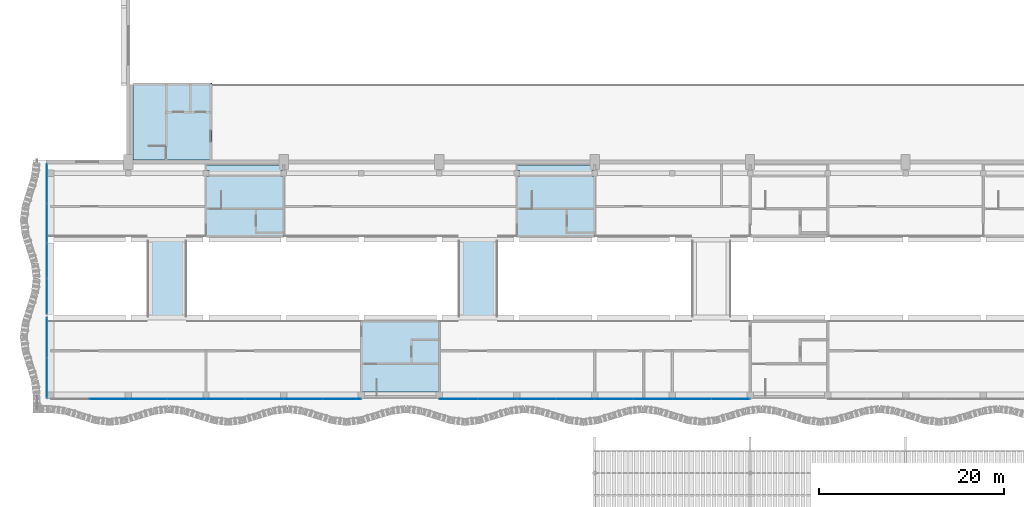
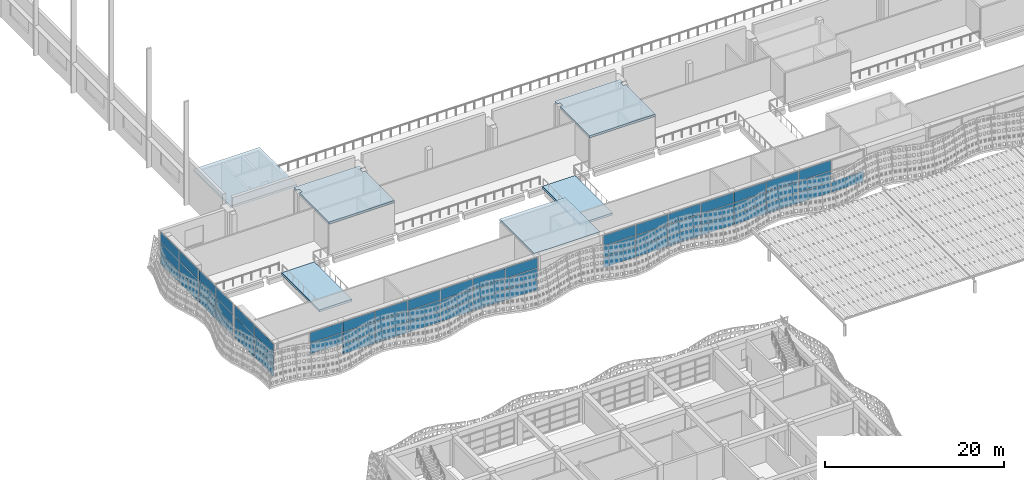
# One storey, part 65 of 162: 60 plates, 6 slabs, 5 elements without a shape of their own.
"""IFC4 building model written with IfcOpenShell, lengths in metres."""

from ifc_helpers import new_model, si_unit, direction, frame, origin, origin_2d, place, context, subcontext, project, spatial, polyline, rectangle, outline, extrude, material, layer, layer_set, type_object, element, aggregate, save


model = new_model("IFC4")

# Units and contexts
model_context = context("Model", 3, precision=1e-05, world=origin(), true_north=direction((0.0, 1.0)))
body_context = subcontext(model_context, "Body", "Model", "MODEL_VIEW")
ifc_project = project(units=[si_unit("LENGTHUNIT", "METRE"), si_unit("AREAUNIT", "SQUARE_METRE"), si_unit("VOLUMEUNIT", "CUBIC_METRE"), si_unit("PLANEANGLEUNIT", "RADIAN"), si_unit("MASSUNIT", "GRAM", prefix="KILO")], contexts=[model_context])

# Site, building, storey
site_placement = place(None, origin())
site = spatial("IfcSite", under=ifc_project, at=site_placement, CompositionType="ELEMENT")
building_placement = place(site_placement, origin())
building = spatial("IfcBuilding", under=site, at=building_placement, Name="Rain Tree Exposition and Congress Centre", CompositionType="ELEMENT")
storey_placement = place(building_placement, frame((0.0, 0.0, 6.0)))
storey = spatial("IfcBuildingStorey", under=building, at=storey_placement, Name="L01", CompositionType="ELEMENT", Elevation=6.0)

# Slabs
ifc_material_1 = material(Name="Precast concrete C50/60", Category="concrete")
ifc_layer_1 = layer(ifc_material_1, 0.300048828125)
ifc_layer_set_1 = layer_set([ifc_layer_1], Name="Precast concrete C50/60")
slab_type_1 = type_object("IfcSlabType", Name="Concourse bridge deck slab 300", PredefinedType="FLOOR", material=ifc_layer_set_1)
slab_1_placement = place(storey_placement, frame((0.0, 0.0, -0.300048828125)))
element("IfcSlab", 1, at=slab_1_placement, inside=storey, type_object=slab_type_1, Name="Concourse bridge deck 1", PredefinedType="FLOOR", context=body_context, shape_type="SweptSolid", body=[
    extrude(outline(polyline([(10.5, 84.0), (14.699951171875, 84.0), (14.699951171875, 92.39990234375), (10.5, 92.39990234375), (10.5, 84.0)])), origin(), (0.0, 0.0, 1.0), 0.300048828125),
])
slab_2_placement = place(storey_placement, frame((0.0, 0.0, -0.300048828125)))
element("IfcSlab", 2, at=slab_2_placement, inside=storey, type_object=slab_type_1, Name="Concourse bridge deck 2", PredefinedType="FLOOR", context=body_context, shape_type="SweptSolid", body=[
    extrude(outline(polyline([(44.10009765625, 84.0), (48.300048828125, 84.0), (48.300048828125, 92.39990234375), (44.10009765625, 92.39990234375), (44.10009765625, 84.0)])), origin(), (0.0, 0.0, 1.0), 0.300048828125),
])
ifc_material_2 = material(Name="Concrete C40/50", Category="concrete")
ifc_layer_2 = layer(ifc_material_2, 0.300048828125)
ifc_layer_set_2 = layer_set([ifc_layer_2], Name="Concrete C40/50")
slab_type_2 = type_object("IfcSlabType", Name="Concourse core roof slab 300", PredefinedType="ROOF", material=ifc_layer_set_2)
slab_3_placement = place(storey_placement, frame((0.0, 0.0, 4.199951171875)))
element("IfcSlab", 3, at=slab_3_placement, inside=storey, type_object=slab_type_2, Name="Concourse core 1 roof", PredefinedType="ROOF", context=body_context, shape_type="SweptSolid", body=[
    extrude(outline(polyline([(42.02490234375, 83.699951171875), (42.02490234375, 75.949951171875), (41.64990234375, 75.949951171875), (33.949951171875, 75.949951171875), (33.574951171875, 75.949951171875), (33.574951171875, 83.699951171875), (42.02490234375, 83.699951171875)])), origin(), (0.0, 0.0, 1.0), 0.300048828125),
])
slab_4_placement = place(storey_placement, frame((0.0, 0.0, 4.199951171875)))
element("IfcSlab", 4, at=slab_4_placement, inside=storey, type_object=slab_type_2, Name="Concourse core 7 roof", PredefinedType="ROOF", context=body_context, shape_type="SweptSolid", body=[
    extrude(outline(polyline([(25.22509765625, 92.699951171875), (24.89990234375, 92.699951171875), (17.10009765625, 92.699951171875), (16.77490234375, 92.699951171875), (16.77490234375, 99.300048828125), (17.10009765625, 99.300048828125), (17.10009765625, 99.89990234375), (16.77490234375, 99.89990234375), (16.77490234375, 100.5), (25.22509765625, 100.5), (25.22509765625, 99.89990234375), (24.89990234375, 99.89990234375), (24.89990234375, 99.300048828125), (25.22509765625, 99.300048828125), (25.22509765625, 92.699951171875)])), origin(), (0.0, 0.0, 1.0), 0.300048828125),
])
slab_5_placement = place(storey_placement, frame((0.0, 0.0, 4.199951171875)))
element("IfcSlab", 5, at=slab_5_placement, inside=storey, type_object=slab_type_2, Name="Concourse core 8 roof", PredefinedType="ROOF", context=body_context, shape_type="SweptSolid", body=[
    extrude(outline(polyline([(58.824951171875, 92.699951171875), (58.5, 92.699951171875), (50.699951171875, 92.699951171875), (50.375, 92.699951171875), (50.375, 99.300048828125), (50.699951171875, 99.300048828125), (50.699951171875, 99.89990234375), (50.375, 99.89990234375), (50.375, 100.5), (58.824951171875, 100.5), (58.824951171875, 99.89990234375), (58.5, 99.89990234375), (58.5, 99.300048828125), (58.824951171875, 99.300048828125), (58.824951171875, 92.699951171875)])), origin(), (0.0, 0.0, 1.0), 0.300048828125),
])

# Curtain wall, plates
ifc_material_3 = material(Name="Aluminium curtain wall system", Category="aluminium")
ifc_layer_3 = layer(ifc_material_3, 0.10009765625)
ifc_layer_set_3 = layer_set([ifc_layer_3], Name="Aluminium curtain wall system")
curtain_wall_type = type_object("IfcCurtainWallType", Name="Concourse curtain wall 4200 module", PredefinedType="NOTDEFINED", material=ifc_layer_set_3)
curtain_wall_1_placement = place(storey_placement, origin())
curtain_wall_1 = element("IfcCurtainWall", 6, at=curtain_wall_1_placement, inside=storey, type_object=curtain_wall_type, Name="Concourse curtain wall CWC22", PredefinedType="NOTDEFINED")
ifc_material_4 = material(Name="Laminated low-e glass", Category="glass")
ifc_layer_4 = layer(ifc_material_4, 0.028076171875)
ifc_layer_set_4 = layer_set([ifc_layer_4], Name="Laminated low-e glass")
plate_type = type_object("IfcPlateType", Name="Concourse curtain wall glass panel 28", PredefinedType="CURTAIN_PANEL", material=ifc_layer_set_4)
plate_1_placement = place(storey_placement, frame((6.300048828125, 75.199951171875, 1.530029296875), z_axis=(0.0, 0.0, 1.0), x_axis=(1.0, 0.0, 0.0)))
plate_1 = element("IfcPlate", 7, at=plate_1_placement, type_object=plate_type, Name="CWC22 panel 2.2", PredefinedType="CURTAIN_PANEL", context=body_context, shape_type="SweptSolid", body=[
    extrude(rectangle(XDim=4.139892578125, YDim=0.028076171875, at=origin_2d()), origin(), (0.0, 0.0, 1.0), 1.43994140625),
])
plate_2_placement = place(storey_placement, frame((6.300048828125, 75.199951171875, 3.0302734375), z_axis=(0.0, 0.0, 1.0), x_axis=(1.0, 0.0, 0.0)))
plate_2 = element("IfcPlate", 8, at=plate_2_placement, type_object=plate_type, Name="CWC22 panel 2.3", PredefinedType="CURTAIN_PANEL", context=body_context, shape_type="SweptSolid", body=[
    extrude(rectangle(XDim=4.139892578125, YDim=0.028076171875, at=origin_2d()), origin(), (0.0, 0.0, 1.0), 1.409912109375),
])
plate_3_placement = place(storey_placement, frame((10.5, 75.199951171875, 0.06005859375), z_axis=(0.0, 0.0, 1.0), x_axis=(1.0, 0.0, 0.0)))
plate_3 = element("IfcPlate", 9, at=plate_3_placement, type_object=plate_type, Name="CWC22 panel 3.1", PredefinedType="CURTAIN_PANEL", context=body_context, shape_type="SweptSolid", body=[
    extrude(rectangle(XDim=4.139892578125, YDim=0.028076171875, at=origin_2d()), origin(), (0.0, 0.0, 1.0), 1.409912109375),
])
plate_4_placement = place(storey_placement, frame((10.5, 75.199951171875, 1.530029296875), z_axis=(0.0, 0.0, 1.0), x_axis=(1.0, 0.0, 0.0)))
plate_4 = element("IfcPlate", 10, at=plate_4_placement, type_object=plate_type, Name="CWC22 panel 3.2", PredefinedType="CURTAIN_PANEL", context=body_context, shape_type="SweptSolid", body=[
    extrude(rectangle(XDim=4.139892578125, YDim=0.028076171875, at=origin_2d()), origin(), (0.0, 0.0, 1.0), 1.43994140625),
])
plate_5_placement = place(storey_placement, frame((10.5, 75.199951171875, 3.0302734375), z_axis=(0.0, 0.0, 1.0), x_axis=(1.0, 0.0, 0.0)))
plate_5 = element("IfcPlate", 11, at=plate_5_placement, type_object=plate_type, Name="CWC22 panel 3.3", PredefinedType="CURTAIN_PANEL", context=body_context, shape_type="SweptSolid", body=[
    extrude(rectangle(XDim=4.139892578125, YDim=0.028076171875, at=origin_2d()), origin(), (0.0, 0.0, 1.0), 1.409912109375),
])
plate_6_placement = place(storey_placement, frame((14.699951171875, 75.199951171875, 0.06005859375), z_axis=(0.0, 0.0, 1.0), x_axis=(1.0, 0.0, 0.0)))
plate_6 = element("IfcPlate", 12, at=plate_6_placement, type_object=plate_type, Name="CWC22 panel 4.1", PredefinedType="CURTAIN_PANEL", context=body_context, shape_type="SweptSolid", body=[
    extrude(rectangle(XDim=4.139892578125, YDim=0.028076171875, at=origin_2d()), origin(), (0.0, 0.0, 1.0), 1.409912109375),
])
plate_7_placement = place(storey_placement, frame((14.699951171875, 75.199951171875, 1.530029296875), z_axis=(0.0, 0.0, 1.0), x_axis=(1.0, 0.0, 0.0)))
plate_7 = element("IfcPlate", 13, at=plate_7_placement, type_object=plate_type, Name="CWC22 panel 4.2", PredefinedType="CURTAIN_PANEL", context=body_context, shape_type="SweptSolid", body=[
    extrude(rectangle(XDim=4.139892578125, YDim=0.028076171875, at=origin_2d()), origin(), (0.0, 0.0, 1.0), 1.43994140625),
])
plate_8_placement = place(storey_placement, frame((14.699951171875, 75.199951171875, 3.0302734375), z_axis=(0.0, 0.0, 1.0), x_axis=(1.0, 0.0, 0.0)))
plate_8 = element("IfcPlate", 14, at=plate_8_placement, type_object=plate_type, Name="CWC22 panel 4.3", PredefinedType="CURTAIN_PANEL", context=body_context, shape_type="SweptSolid", body=[
    extrude(rectangle(XDim=4.139892578125, YDim=0.028076171875, at=origin_2d()), origin(), (0.0, 0.0, 1.0), 1.409912109375),
])
plate_9_placement = place(storey_placement, frame((18.89990234375, 75.199951171875, 0.06005859375), z_axis=(0.0, 0.0, 1.0), x_axis=(1.0, 0.0, 0.0)))
plate_9 = element("IfcPlate", 15, at=plate_9_placement, type_object=plate_type, Name="CWC22 panel 5.1", PredefinedType="CURTAIN_PANEL", context=body_context, shape_type="SweptSolid", body=[
    extrude(rectangle(XDim=4.139892578125, YDim=0.028076171875, at=origin_2d()), origin(), (0.0, 0.0, 1.0), 1.409912109375),
])
plate_10_placement = place(storey_placement, frame((18.89990234375, 75.199951171875, 1.530029296875), z_axis=(0.0, 0.0, 1.0), x_axis=(1.0, 0.0, 0.0)))
plate_10 = element("IfcPlate", 16, at=plate_10_placement, type_object=plate_type, Name="CWC22 panel 5.2", PredefinedType="CURTAIN_PANEL", context=body_context, shape_type="SweptSolid", body=[
    extrude(rectangle(XDim=4.139892578125, YDim=0.028076171875, at=origin_2d()), origin(), (0.0, 0.0, 1.0), 1.43994140625),
])
plate_11_placement = place(storey_placement, frame((18.89990234375, 75.199951171875, 3.0302734375), z_axis=(0.0, 0.0, 1.0), x_axis=(1.0, 0.0, 0.0)))
plate_11 = element("IfcPlate", 17, at=plate_11_placement, type_object=plate_type, Name="CWC22 panel 5.3", PredefinedType="CURTAIN_PANEL", context=body_context, shape_type="SweptSolid", body=[
    extrude(rectangle(XDim=4.139892578125, YDim=0.028076171875, at=origin_2d()), origin(), (0.0, 0.0, 1.0), 1.409912109375),
])
plate_12_placement = place(storey_placement, frame((23.10009765625, 75.199951171875, 0.06005859375), z_axis=(0.0, 0.0, 1.0), x_axis=(1.0, 0.0, 0.0)))
plate_12 = element("IfcPlate", 18, at=plate_12_placement, type_object=plate_type, Name="CWC22 panel 6.1", PredefinedType="CURTAIN_PANEL", context=body_context, shape_type="SweptSolid", body=[
    extrude(rectangle(XDim=4.139892578125, YDim=0.028076171875, at=origin_2d()), origin(), (0.0, 0.0, 1.0), 1.409912109375),
])
plate_13_placement = place(storey_placement, frame((23.10009765625, 75.199951171875, 1.530029296875), z_axis=(0.0, 0.0, 1.0), x_axis=(1.0, 0.0, 0.0)))
plate_13 = element("IfcPlate", 19, at=plate_13_placement, type_object=plate_type, Name="CWC22 panel 6.2", PredefinedType="CURTAIN_PANEL", context=body_context, shape_type="SweptSolid", body=[
    extrude(rectangle(XDim=4.139892578125, YDim=0.028076171875, at=origin_2d()), origin(), (0.0, 0.0, 1.0), 1.43994140625),
])
plate_14_placement = place(storey_placement, frame((23.10009765625, 75.199951171875, 3.0302734375), z_axis=(0.0, 0.0, 1.0), x_axis=(1.0, 0.0, 0.0)))
plate_14 = element("IfcPlate", 20, at=plate_14_placement, type_object=plate_type, Name="CWC22 panel 6.3", PredefinedType="CURTAIN_PANEL", context=body_context, shape_type="SweptSolid", body=[
    extrude(rectangle(XDim=4.139892578125, YDim=0.028076171875, at=origin_2d()), origin(), (0.0, 0.0, 1.0), 1.409912109375),
])
plate_15_placement = place(storey_placement, frame((27.300048828125, 75.199951171875, 0.06005859375), z_axis=(0.0, 0.0, 1.0), x_axis=(1.0, 0.0, 0.0)))
plate_15 = element("IfcPlate", 21, at=plate_15_placement, type_object=plate_type, Name="CWC22 panel 7.1", PredefinedType="CURTAIN_PANEL", context=body_context, shape_type="SweptSolid", body=[
    extrude(rectangle(XDim=4.139892578125, YDim=0.028076171875, at=origin_2d()), origin(), (0.0, 0.0, 1.0), 1.409912109375),
])
plate_16_placement = place(storey_placement, frame((27.300048828125, 75.199951171875, 1.530029296875), z_axis=(0.0, 0.0, 1.0), x_axis=(1.0, 0.0, 0.0)))
plate_16 = element("IfcPlate", 22, at=plate_16_placement, type_object=plate_type, Name="CWC22 panel 7.2", PredefinedType="CURTAIN_PANEL", context=body_context, shape_type="SweptSolid", body=[
    extrude(rectangle(XDim=4.139892578125, YDim=0.028076171875, at=origin_2d()), origin(), (0.0, 0.0, 1.0), 1.43994140625),
])
plate_17_placement = place(storey_placement, frame((27.300048828125, 75.199951171875, 3.0302734375), z_axis=(0.0, 0.0, 1.0), x_axis=(1.0, 0.0, 0.0)))
plate_17 = element("IfcPlate", 23, at=plate_17_placement, type_object=plate_type, Name="CWC22 panel 7.3", PredefinedType="CURTAIN_PANEL", context=body_context, shape_type="SweptSolid", body=[
    extrude(rectangle(XDim=4.139892578125, YDim=0.028076171875, at=origin_2d()), origin(), (0.0, 0.0, 1.0), 1.409912109375),
])
plate_18_placement = place(storey_placement, frame((31.485107421875, 75.199951171875, 0.06005859375), z_axis=(0.0, 0.0, 1.0), x_axis=(1.0, 0.0, 0.0)))
plate_18 = element("IfcPlate", 24, at=plate_18_placement, type_object=plate_type, Name="CWC22 panel 8.1", PredefinedType="CURTAIN_PANEL", context=body_context, shape_type="SweptSolid", body=[
    extrude(rectangle(XDim=4.110107421875, YDim=0.028076171875, at=origin_2d()), origin(), (0.0, 0.0, 1.0), 1.409912109375),
])
plate_19_placement = place(storey_placement, frame((31.485107421875, 75.199951171875, 1.530029296875), z_axis=(0.0, 0.0, 1.0), x_axis=(1.0, 0.0, 0.0)))
plate_19 = element("IfcPlate", 25, at=plate_19_placement, type_object=plate_type, Name="CWC22 panel 8.2", PredefinedType="CURTAIN_PANEL", context=body_context, shape_type="SweptSolid", body=[
    extrude(rectangle(XDim=4.110107421875, YDim=0.028076171875, at=origin_2d()), origin(), (0.0, 0.0, 1.0), 1.43994140625),
])
plate_20_placement = place(storey_placement, frame((31.485107421875, 75.199951171875, 3.0302734375), z_axis=(0.0, 0.0, 1.0), x_axis=(1.0, 0.0, 0.0)))
plate_20 = element("IfcPlate", 26, at=plate_20_placement, type_object=plate_type, Name="CWC22 panel 8.3", PredefinedType="CURTAIN_PANEL", context=body_context, shape_type="SweptSolid", body=[
    extrude(rectangle(XDim=4.110107421875, YDim=0.028076171875, at=origin_2d()), origin(), (0.0, 0.0, 1.0), 1.409912109375),
])
aggregate(curtain_wall_1, [plate_1, plate_2, plate_3, plate_4, plate_5, plate_6, plate_7, plate_8, plate_9, plate_10, plate_11, plate_12, plate_13, plate_14, plate_15, plate_16, plate_17, plate_18, plate_19, plate_20])

curtain_wall_2_placement = place(storey_placement, origin())
curtain_wall_2 = element("IfcCurtainWall", 27, at=curtain_wall_2_placement, inside=storey, type_object=curtain_wall_type, Name="Concourse curtain wall CWC23", PredefinedType="NOTDEFINED")
plate_21_placement = place(storey_placement, frame((44.114990234375, 75.199951171875, 0.06005859375), z_axis=(0.0, 0.0, 1.0), x_axis=(1.0, 0.0, 0.0)))
plate_21 = element("IfcPlate", 28, at=plate_21_placement, type_object=plate_type, Name="CWC23 panel 1.1", PredefinedType="CURTAIN_PANEL", context=body_context, shape_type="SweptSolid", body=[
    extrude(rectangle(XDim=4.110107421875, YDim=0.028076171875, at=origin_2d()), origin(), (0.0, 0.0, 1.0), 1.409912109375),
])
plate_22_placement = place(storey_placement, frame((44.114990234375, 75.199951171875, 1.530029296875), z_axis=(0.0, 0.0, 1.0), x_axis=(1.0, 0.0, 0.0)))
plate_22 = element("IfcPlate", 29, at=plate_22_placement, type_object=plate_type, Name="CWC23 panel 1.2", PredefinedType="CURTAIN_PANEL", context=body_context, shape_type="SweptSolid", body=[
    extrude(rectangle(XDim=4.110107421875, YDim=0.028076171875, at=origin_2d()), origin(), (0.0, 0.0, 1.0), 1.43994140625),
])
plate_23_placement = place(storey_placement, frame((44.114990234375, 75.199951171875, 3.0302734375), z_axis=(0.0, 0.0, 1.0), x_axis=(1.0, 0.0, 0.0)))
plate_23 = element("IfcPlate", 30, at=plate_23_placement, type_object=plate_type, Name="CWC23 panel 1.3", PredefinedType="CURTAIN_PANEL", context=body_context, shape_type="SweptSolid", body=[
    extrude(rectangle(XDim=4.110107421875, YDim=0.028076171875, at=origin_2d()), origin(), (0.0, 0.0, 1.0), 1.409912109375),
])
plate_24_placement = place(storey_placement, frame((48.300048828125, 75.199951171875, 0.06005859375), z_axis=(0.0, 0.0, 1.0), x_axis=(1.0, 0.0, 0.0)))
plate_24 = element("IfcPlate", 31, at=plate_24_placement, type_object=plate_type, Name="CWC23 panel 2.1", PredefinedType="CURTAIN_PANEL", context=body_context, shape_type="SweptSolid", body=[
    extrude(rectangle(XDim=4.139892578125, YDim=0.028076171875, at=origin_2d()), origin(), (0.0, 0.0, 1.0), 1.409912109375),
])
plate_25_placement = place(storey_placement, frame((48.300048828125, 75.199951171875, 1.530029296875), z_axis=(0.0, 0.0, 1.0), x_axis=(1.0, 0.0, 0.0)))
plate_25 = element("IfcPlate", 32, at=plate_25_placement, type_object=plate_type, Name="CWC23 panel 2.2", PredefinedType="CURTAIN_PANEL", context=body_context, shape_type="SweptSolid", body=[
    extrude(rectangle(XDim=4.139892578125, YDim=0.028076171875, at=origin_2d()), origin(), (0.0, 0.0, 1.0), 1.43994140625),
])
plate_26_placement = place(storey_placement, frame((48.300048828125, 75.199951171875, 3.0302734375), z_axis=(0.0, 0.0, 1.0), x_axis=(1.0, 0.0, 0.0)))
plate_26 = element("IfcPlate", 33, at=plate_26_placement, type_object=plate_type, Name="CWC23 panel 2.3", PredefinedType="CURTAIN_PANEL", context=body_context, shape_type="SweptSolid", body=[
    extrude(rectangle(XDim=4.139892578125, YDim=0.028076171875, at=origin_2d()), origin(), (0.0, 0.0, 1.0), 1.409912109375),
])
plate_27_placement = place(storey_placement, frame((52.5, 75.199951171875, 0.06005859375), z_axis=(0.0, 0.0, 1.0), x_axis=(1.0, 0.0, 0.0)))
plate_27 = element("IfcPlate", 34, at=plate_27_placement, type_object=plate_type, Name="CWC23 panel 3.1", PredefinedType="CURTAIN_PANEL", context=body_context, shape_type="SweptSolid", body=[
    extrude(rectangle(XDim=4.139892578125, YDim=0.028076171875, at=origin_2d()), origin(), (0.0, 0.0, 1.0), 1.409912109375),
])
plate_28_placement = place(storey_placement, frame((52.5, 75.199951171875, 1.530029296875), z_axis=(0.0, 0.0, 1.0), x_axis=(1.0, 0.0, 0.0)))
plate_28 = element("IfcPlate", 35, at=plate_28_placement, type_object=plate_type, Name="CWC23 panel 3.2", PredefinedType="CURTAIN_PANEL", context=body_context, shape_type="SweptSolid", body=[
    extrude(rectangle(XDim=4.139892578125, YDim=0.028076171875, at=origin_2d()), origin(), (0.0, 0.0, 1.0), 1.43994140625),
])
plate_29_placement = place(storey_placement, frame((52.5, 75.199951171875, 3.0302734375), z_axis=(0.0, 0.0, 1.0), x_axis=(1.0, 0.0, 0.0)))
plate_29 = element("IfcPlate", 36, at=plate_29_placement, type_object=plate_type, Name="CWC23 panel 3.3", PredefinedType="CURTAIN_PANEL", context=body_context, shape_type="SweptSolid", body=[
    extrude(rectangle(XDim=4.139892578125, YDim=0.028076171875, at=origin_2d()), origin(), (0.0, 0.0, 1.0), 1.409912109375),
])
plate_30_placement = place(storey_placement, frame((56.699951171875, 75.199951171875, 0.06005859375), z_axis=(0.0, 0.0, 1.0), x_axis=(1.0, 0.0, 0.0)))
plate_30 = element("IfcPlate", 37, at=plate_30_placement, type_object=plate_type, Name="CWC23 panel 4.1", PredefinedType="CURTAIN_PANEL", context=body_context, shape_type="SweptSolid", body=[
    extrude(rectangle(XDim=4.139892578125, YDim=0.028076171875, at=origin_2d()), origin(), (0.0, 0.0, 1.0), 1.409912109375),
])
plate_31_placement = place(storey_placement, frame((56.699951171875, 75.199951171875, 1.530029296875), z_axis=(0.0, 0.0, 1.0), x_axis=(1.0, 0.0, 0.0)))
plate_31 = element("IfcPlate", 38, at=plate_31_placement, type_object=plate_type, Name="CWC23 panel 4.2", PredefinedType="CURTAIN_PANEL", context=body_context, shape_type="SweptSolid", body=[
    extrude(rectangle(XDim=4.139892578125, YDim=0.028076171875, at=origin_2d()), origin(), (0.0, 0.0, 1.0), 1.43994140625),
])
plate_32_placement = place(storey_placement, frame((56.699951171875, 75.199951171875, 3.0302734375), z_axis=(0.0, 0.0, 1.0), x_axis=(1.0, 0.0, 0.0)))
plate_32 = element("IfcPlate", 39, at=plate_32_placement, type_object=plate_type, Name="CWC23 panel 4.3", PredefinedType="CURTAIN_PANEL", context=body_context, shape_type="SweptSolid", body=[
    extrude(rectangle(XDim=4.139892578125, YDim=0.028076171875, at=origin_2d()), origin(), (0.0, 0.0, 1.0), 1.409912109375),
])
plate_33_placement = place(storey_placement, frame((60.89990234375, 75.199951171875, 0.06005859375), z_axis=(0.0, 0.0, 1.0), x_axis=(1.0, 0.0, 0.0)))
plate_33 = element("IfcPlate", 40, at=plate_33_placement, type_object=plate_type, Name="CWC23 panel 5.1", PredefinedType="CURTAIN_PANEL", context=body_context, shape_type="SweptSolid", body=[
    extrude(rectangle(XDim=4.139892578125, YDim=0.028076171875, at=origin_2d()), origin(), (0.0, 0.0, 1.0), 1.409912109375),
])
plate_34_placement = place(storey_placement, frame((60.89990234375, 75.199951171875, 1.530029296875), z_axis=(0.0, 0.0, 1.0), x_axis=(1.0, 0.0, 0.0)))
plate_34 = element("IfcPlate", 41, at=plate_34_placement, type_object=plate_type, Name="CWC23 panel 5.2", PredefinedType="CURTAIN_PANEL", context=body_context, shape_type="SweptSolid", body=[
    extrude(rectangle(XDim=4.139892578125, YDim=0.028076171875, at=origin_2d()), origin(), (0.0, 0.0, 1.0), 1.43994140625),
])
plate_35_placement = place(storey_placement, frame((60.89990234375, 75.199951171875, 3.0302734375), z_axis=(0.0, 0.0, 1.0), x_axis=(1.0, 0.0, 0.0)))
plate_35 = element("IfcPlate", 42, at=plate_35_placement, type_object=plate_type, Name="CWC23 panel 5.3", PredefinedType="CURTAIN_PANEL", context=body_context, shape_type="SweptSolid", body=[
    extrude(rectangle(XDim=4.139892578125, YDim=0.028076171875, at=origin_2d()), origin(), (0.0, 0.0, 1.0), 1.409912109375),
])
plate_36_placement = place(storey_placement, frame((65.10009765625, 75.199951171875, 0.06005859375), z_axis=(0.0, 0.0, 1.0), x_axis=(1.0, 0.0, 0.0)))
plate_36 = element("IfcPlate", 43, at=plate_36_placement, type_object=plate_type, Name="CWC23 panel 6.1", PredefinedType="CURTAIN_PANEL", context=body_context, shape_type="SweptSolid", body=[
    extrude(rectangle(XDim=4.139892578125, YDim=0.028076171875, at=origin_2d()), origin(), (0.0, 0.0, 1.0), 1.409912109375),
])
plate_37_placement = place(storey_placement, frame((65.10009765625, 75.199951171875, 1.530029296875), z_axis=(0.0, 0.0, 1.0), x_axis=(1.0, 0.0, 0.0)))
plate_37 = element("IfcPlate", 44, at=plate_37_placement, type_object=plate_type, Name="CWC23 panel 6.2", PredefinedType="CURTAIN_PANEL", context=body_context, shape_type="SweptSolid", body=[
    extrude(rectangle(XDim=4.139892578125, YDim=0.028076171875, at=origin_2d()), origin(), (0.0, 0.0, 1.0), 1.43994140625),
])
plate_38_placement = place(storey_placement, frame((65.10009765625, 75.199951171875, 3.0302734375), z_axis=(0.0, 0.0, 1.0), x_axis=(1.0, 0.0, 0.0)))
plate_38 = element("IfcPlate", 45, at=plate_38_placement, type_object=plate_type, Name="CWC23 panel 6.3", PredefinedType="CURTAIN_PANEL", context=body_context, shape_type="SweptSolid", body=[
    extrude(rectangle(XDim=4.139892578125, YDim=0.028076171875, at=origin_2d()), origin(), (0.0, 0.0, 1.0), 1.409912109375),
])
plate_39_placement = place(storey_placement, frame((69.300048828125, 75.199951171875, 0.06005859375), z_axis=(0.0, 0.0, 1.0), x_axis=(1.0, 0.0, 0.0)))
plate_39 = element("IfcPlate", 46, at=plate_39_placement, type_object=plate_type, Name="CWC23 panel 7.1", PredefinedType="CURTAIN_PANEL", context=body_context, shape_type="SweptSolid", body=[
    extrude(rectangle(XDim=4.139892578125, YDim=0.028076171875, at=origin_2d()), origin(), (0.0, 0.0, 1.0), 1.409912109375),
])
plate_40_placement = place(storey_placement, frame((69.300048828125, 75.199951171875, 1.530029296875), z_axis=(0.0, 0.0, 1.0), x_axis=(1.0, 0.0, 0.0)))
plate_40 = element("IfcPlate", 47, at=plate_40_placement, type_object=plate_type, Name="CWC23 panel 7.2", PredefinedType="CURTAIN_PANEL", context=body_context, shape_type="SweptSolid", body=[
    extrude(rectangle(XDim=4.139892578125, YDim=0.028076171875, at=origin_2d()), origin(), (0.0, 0.0, 1.0), 1.43994140625),
])
plate_41_placement = place(storey_placement, frame((69.300048828125, 75.199951171875, 3.0302734375), z_axis=(0.0, 0.0, 1.0), x_axis=(1.0, 0.0, 0.0)))
plate_41 = element("IfcPlate", 48, at=plate_41_placement, type_object=plate_type, Name="CWC23 panel 7.3", PredefinedType="CURTAIN_PANEL", context=body_context, shape_type="SweptSolid", body=[
    extrude(rectangle(XDim=4.139892578125, YDim=0.028076171875, at=origin_2d()), origin(), (0.0, 0.0, 1.0), 1.409912109375),
])
plate_42_placement = place(storey_placement, frame((73.485107421875, 75.199951171875, 0.06005859375), z_axis=(0.0, 0.0, 1.0), x_axis=(1.0, 0.0, 0.0)))
plate_42 = element("IfcPlate", 49, at=plate_42_placement, type_object=plate_type, Name="CWC23 panel 8.1", PredefinedType="CURTAIN_PANEL", context=body_context, shape_type="SweptSolid", body=[
    extrude(rectangle(XDim=4.110107421875, YDim=0.028076171875, at=origin_2d()), origin(), (0.0, 0.0, 1.0), 1.409912109375),
])
aggregate(curtain_wall_2, [plate_21, plate_22, plate_23, plate_24, plate_25, plate_26, plate_27, plate_28, plate_29, plate_30, plate_31, plate_32, plate_33, plate_34, plate_35, plate_36, plate_37, plate_38, plate_39, plate_40, plate_41, plate_42])

curtain_wall_3_placement = place(storey_placement, origin())
curtain_wall_3 = element("IfcCurtainWall", 50, at=curtain_wall_3_placement, inside=storey, type_object=curtain_wall_type, Name="Concourse curtain wall CWC32", PredefinedType="NOTDEFINED")
plate_43_placement = place(storey_placement, frame((-0.39990234375, 77.465087890625, 0.06005859375), z_axis=(0.0, 0.0, 1.0), x_axis=(0.0, 1.0, 0.0)))
plate_43 = element("IfcPlate", 51, at=plate_43_placement, type_object=plate_type, Name="CWC32 panel 1.1", PredefinedType="CURTAIN_PANEL", context=body_context, shape_type="SweptSolid", body=[
    extrude(rectangle(XDim=4.31005859375, YDim=0.028076171875, at=origin_2d()), origin(), (0.0, 0.0, 1.0), 1.409912109375),
])
plate_44_placement = place(storey_placement, frame((-0.39990234375, 77.465087890625, 1.530029296875), z_axis=(0.0, 0.0, 1.0), x_axis=(0.0, 1.0, 0.0)))
plate_44 = element("IfcPlate", 52, at=plate_44_placement, type_object=plate_type, Name="CWC32 panel 1.2", PredefinedType="CURTAIN_PANEL", context=body_context, shape_type="SweptSolid", body=[
    extrude(rectangle(XDim=4.31005859375, YDim=0.028076171875, at=origin_2d()), origin(), (0.0, 0.0, 1.0), 1.43994140625),
])
plate_45_placement = place(storey_placement, frame((-0.39990234375, 77.465087890625, 3.0302734375), z_axis=(0.0, 0.0, 1.0), x_axis=(0.0, 1.0, 0.0)))
plate_45 = element("IfcPlate", 53, at=plate_45_placement, type_object=plate_type, Name="CWC32 panel 1.3", PredefinedType="CURTAIN_PANEL", context=body_context, shape_type="SweptSolid", body=[
    extrude(rectangle(XDim=4.31005859375, YDim=0.028076171875, at=origin_2d()), origin(), (0.0, 0.0, 1.0), 1.409912109375),
])
plate_46_placement = place(storey_placement, frame((-0.39990234375, 81.8349609375, 0.06005859375), z_axis=(0.0, 0.0, 1.0), x_axis=(0.0, 1.0, 0.0)))
plate_46 = element("IfcPlate", 54, at=plate_46_placement, type_object=plate_type, Name="CWC32 panel 2.1", PredefinedType="CURTAIN_PANEL", context=body_context, shape_type="SweptSolid", body=[
    extrude(rectangle(XDim=4.31005859375, YDim=0.028076171875, at=origin_2d()), origin(), (0.0, 0.0, 1.0), 1.409912109375),
])
plate_47_placement = place(storey_placement, frame((-0.39990234375, 81.8349609375, 1.530029296875), z_axis=(0.0, 0.0, 1.0), x_axis=(0.0, 1.0, 0.0)))
plate_47 = element("IfcPlate", 55, at=plate_47_placement, type_object=plate_type, Name="CWC32 panel 2.2", PredefinedType="CURTAIN_PANEL", context=body_context, shape_type="SweptSolid", body=[
    extrude(rectangle(XDim=4.31005859375, YDim=0.028076171875, at=origin_2d()), origin(), (0.0, 0.0, 1.0), 1.43994140625),
])
plate_48_placement = place(storey_placement, frame((-0.39990234375, 81.8349609375, 3.0302734375), z_axis=(0.0, 0.0, 1.0), x_axis=(0.0, 1.0, 0.0)))
plate_48 = element("IfcPlate", 56, at=plate_48_placement, type_object=plate_type, Name="CWC32 panel 2.3", PredefinedType="CURTAIN_PANEL", context=body_context, shape_type="SweptSolid", body=[
    extrude(rectangle(XDim=4.31005859375, YDim=0.028076171875, at=origin_2d()), origin(), (0.0, 0.0, 1.0), 1.409912109375),
])
aggregate(curtain_wall_3, [plate_43, plate_44, plate_45, plate_46, plate_47, plate_48])

curtain_wall_4_placement = place(storey_placement, origin())
curtain_wall_4 = element("IfcCurtainWall", 57, at=curtain_wall_4_placement, inside=storey, type_object=curtain_wall_type, Name="Concourse curtain wall CWC33", PredefinedType="NOTDEFINED")
plate_49_placement = place(storey_placement, frame((-0.39990234375, 86.2900390625, 0.06005859375), z_axis=(0.0, 0.0, 1.0), x_axis=(0.0, 1.0, 0.0)))
plate_49 = element("IfcPlate", 58, at=plate_49_placement, type_object=plate_type, Name="CWC33 panel 1.1", PredefinedType="CURTAIN_PANEL", context=body_context, shape_type="SweptSolid", body=[
    extrude(rectangle(XDim=3.760009765625, YDim=0.028076171875, at=origin_2d()), origin(), (0.0, 0.0, 1.0), 1.409912109375),
])
plate_50_placement = place(storey_placement, frame((-0.39990234375, 86.2900390625, 1.530029296875), z_axis=(0.0, 0.0, 1.0), x_axis=(0.0, 1.0, 0.0)))
plate_50 = element("IfcPlate", 59, at=plate_50_placement, type_object=plate_type, Name="CWC33 panel 1.2", PredefinedType="CURTAIN_PANEL", context=body_context, shape_type="SweptSolid", body=[
    extrude(rectangle(XDim=3.760009765625, YDim=0.028076171875, at=origin_2d()), origin(), (0.0, 0.0, 1.0), 1.43994140625),
])
plate_51_placement = place(storey_placement, frame((-0.39990234375, 86.2900390625, 3.0302734375), z_axis=(0.0, 0.0, 1.0), x_axis=(0.0, 1.0, 0.0)))
plate_51 = element("IfcPlate", 60, at=plate_51_placement, type_object=plate_type, Name="CWC33 panel 1.3", PredefinedType="CURTAIN_PANEL", context=body_context, shape_type="SweptSolid", body=[
    extrude(rectangle(XDim=3.760009765625, YDim=0.028076171875, at=origin_2d()), origin(), (0.0, 0.0, 1.0), 1.409912109375),
])
plate_52_placement = place(storey_placement, frame((-0.39990234375, 90.110107421875, 0.06005859375), z_axis=(0.0, 0.0, 1.0), x_axis=(0.0, 1.0, 0.0)))
plate_52 = element("IfcPlate", 61, at=plate_52_placement, type_object=plate_type, Name="CWC33 panel 2.1", PredefinedType="CURTAIN_PANEL", context=body_context, shape_type="SweptSolid", body=[
    extrude(rectangle(XDim=3.760009765625, YDim=0.028076171875, at=origin_2d()), origin(), (0.0, 0.0, 1.0), 1.409912109375),
])
plate_53_placement = place(storey_placement, frame((-0.39990234375, 90.110107421875, 1.530029296875), z_axis=(0.0, 0.0, 1.0), x_axis=(0.0, 1.0, 0.0)))
plate_53 = element("IfcPlate", 62, at=plate_53_placement, type_object=plate_type, Name="CWC33 panel 2.2", PredefinedType="CURTAIN_PANEL", context=body_context, shape_type="SweptSolid", body=[
    extrude(rectangle(XDim=3.760009765625, YDim=0.028076171875, at=origin_2d()), origin(), (0.0, 0.0, 1.0), 1.43994140625),
])
plate_54_placement = place(storey_placement, frame((-0.39990234375, 90.110107421875, 3.0302734375), z_axis=(0.0, 0.0, 1.0), x_axis=(0.0, 1.0, 0.0)))
plate_54 = element("IfcPlate", 63, at=plate_54_placement, type_object=plate_type, Name="CWC33 panel 2.3", PredefinedType="CURTAIN_PANEL", context=body_context, shape_type="SweptSolid", body=[
    extrude(rectangle(XDim=3.760009765625, YDim=0.028076171875, at=origin_2d()), origin(), (0.0, 0.0, 1.0), 1.409912109375),
])
aggregate(curtain_wall_4, [plate_49, plate_50, plate_51, plate_52, plate_53, plate_54])

curtain_wall_5_placement = place(storey_placement, origin())
curtain_wall_5 = element("IfcCurtainWall", 64, at=curtain_wall_5_placement, inside=storey, type_object=curtain_wall_type, Name="Concourse curtain wall CWC34", PredefinedType="NOTDEFINED")
plate_55_placement = place(storey_placement, frame((-0.39990234375, 94.202392578125, 0.06005859375), z_axis=(0.0, 0.0, 1.0), x_axis=(0.0, 1.0, 0.0)))
plate_55 = element("IfcPlate", 65, at=plate_55_placement, type_object=plate_type, Name="CWC34 panel 1.1", PredefinedType="CURTAIN_PANEL", context=body_context, shape_type="SweptSolid", body=[
    extrude(rectangle(XDim=4.18505859375, YDim=0.028076171875, at=origin_2d()), origin(), (0.0, 0.0, 1.0), 1.409912109375),
])
plate_56_placement = place(storey_placement, frame((-0.39990234375, 94.202392578125, 1.530029296875), z_axis=(0.0, 0.0, 1.0), x_axis=(0.0, 1.0, 0.0)))
plate_56 = element("IfcPlate", 66, at=plate_56_placement, type_object=plate_type, Name="CWC34 panel 1.2", PredefinedType="CURTAIN_PANEL", context=body_context, shape_type="SweptSolid", body=[
    extrude(rectangle(XDim=4.18505859375, YDim=0.028076171875, at=origin_2d()), origin(), (0.0, 0.0, 1.0), 1.43994140625),
])
plate_57_placement = place(storey_placement, frame((-0.39990234375, 94.202392578125, 3.0302734375), z_axis=(0.0, 0.0, 1.0), x_axis=(0.0, 1.0, 0.0)))
plate_57 = element("IfcPlate", 67, at=plate_57_placement, type_object=plate_type, Name="CWC34 panel 1.3", PredefinedType="CURTAIN_PANEL", context=body_context, shape_type="SweptSolid", body=[
    extrude(rectangle(XDim=4.18505859375, YDim=0.028076171875, at=origin_2d()), origin(), (0.0, 0.0, 1.0), 1.409912109375),
])
plate_58_placement = place(storey_placement, frame((-0.39990234375, 98.447509765625, 0.06005859375), z_axis=(0.0, 0.0, 1.0), x_axis=(0.0, 1.0, 0.0)))
plate_58 = element("IfcPlate", 68, at=plate_58_placement, type_object=plate_type, Name="CWC34 panel 2.1", PredefinedType="CURTAIN_PANEL", context=body_context, shape_type="SweptSolid", body=[
    extrude(rectangle(XDim=4.18505859375, YDim=0.028076171875, at=origin_2d()), origin(), (0.0, 0.0, 1.0), 1.409912109375),
])
plate_59_placement = place(storey_placement, frame((-0.39990234375, 98.447509765625, 1.530029296875), z_axis=(0.0, 0.0, 1.0), x_axis=(0.0, 1.0, 0.0)))
plate_59 = element("IfcPlate", 69, at=plate_59_placement, type_object=plate_type, Name="CWC34 panel 2.2", PredefinedType="CURTAIN_PANEL", context=body_context, shape_type="SweptSolid", body=[
    extrude(rectangle(XDim=4.18505859375, YDim=0.028076171875, at=origin_2d()), origin(), (0.0, 0.0, 1.0), 1.43994140625),
])
plate_60_placement = place(storey_placement, frame((-0.39990234375, 98.447509765625, 3.0302734375), z_axis=(0.0, 0.0, 1.0), x_axis=(0.0, 1.0, 0.0)))
plate_60 = element("IfcPlate", 70, at=plate_60_placement, type_object=plate_type, Name="CWC34 panel 2.3", PredefinedType="CURTAIN_PANEL", context=body_context, shape_type="SweptSolid", body=[
    extrude(rectangle(XDim=4.18505859375, YDim=0.028076171875, at=origin_2d()), origin(), (0.0, 0.0, 1.0), 1.409912109375),
])
aggregate(curtain_wall_5, [plate_55, plate_56, plate_57, plate_58, plate_59, plate_60])

# Slab
ifc_material_5 = material(Name="Concrete C40/50", Category="concrete")
ifc_layer_5 = layer(ifc_material_5, 0.300048828125)
ifc_layer_set_5 = layer_set([ifc_layer_5], Name="Concrete C40/50")
slab_type_3 = type_object("IfcSlabType", Name="Core roof slab 300", PredefinedType="ROOF", material=ifc_layer_set_5)
slab_6_placement = place(storey_placement, frame((0.0, 0.0, 4.10009765625)))
element("IfcSlab", 71, at=slab_6_placement, inside=storey, type_object=slab_type_3, Name="Core roof 1", PredefinedType="ROOF", context=body_context, shape_type="SweptSolid", body=[
    extrude(outline(polyline([(17.425048828125, 101.0), (17.425048828125, 109.324951171875), (8.89990234375, 109.324951171875), (8.89990234375, 101.0), (17.425048828125, 101.0)])), origin(), (0.0, 0.0, 1.0), 0.2998046875),
])

save(model, "model.ifc")
